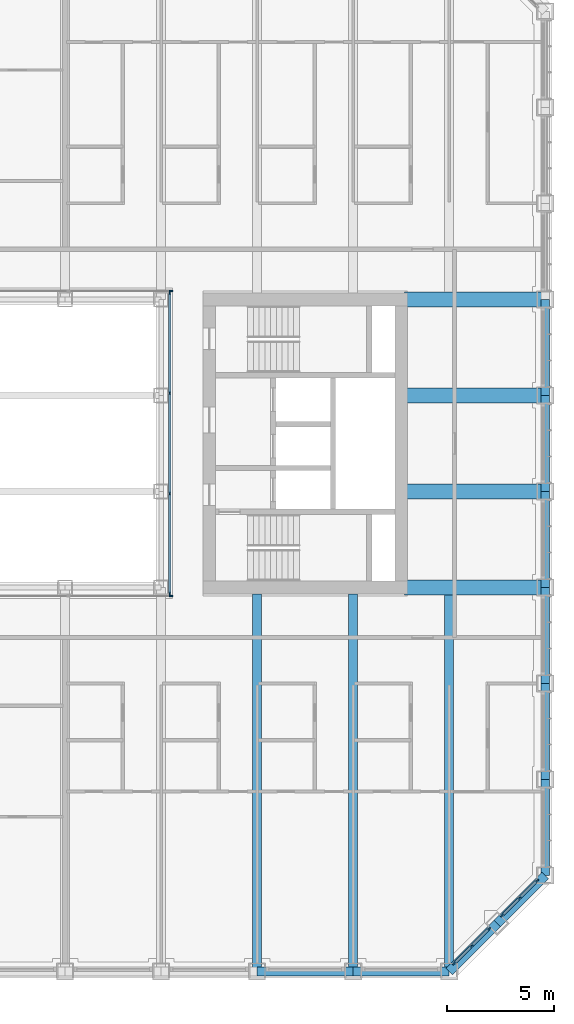
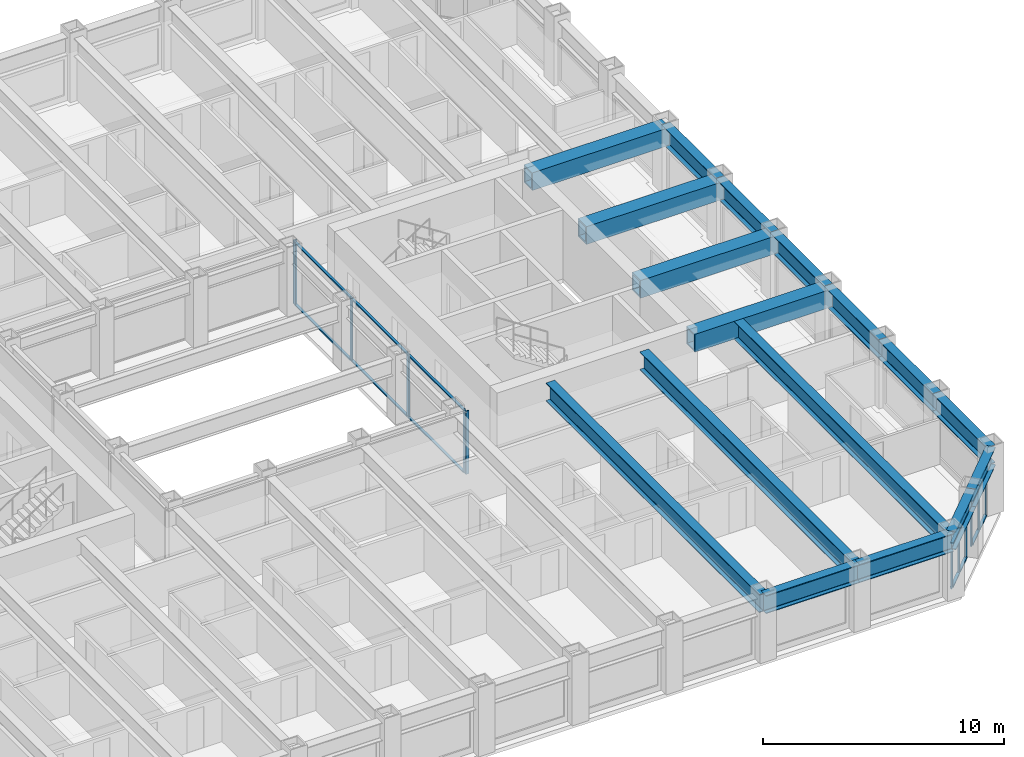
# One storey, part 5 of 21: 26 members, 17 beams, 5 elements without a shape of their own.
"""IFC4 building model written with IfcOpenShell, lengths in metres."""

from ifc_helpers import new_model, si_unit, direction, frame, origin, origin_2d, place, context, subcontext, project, spatial, rectangle, hollow_rectangle, i_section, extrude, material, material_profile, profile_set, type_object, element, aggregate, save


model = new_model("IFC4")

# Units and contexts
model_context = context("Model", 3, precision=1e-05, world=origin(), true_north=direction((0.0, 1.0)))
body_context = subcontext(model_context, "Body", "Model", "MODEL_VIEW")
ifc_project = project(units=[si_unit("LENGTHUNIT", "METRE"), si_unit("AREAUNIT", "SQUARE_METRE"), si_unit("VOLUMEUNIT", "CUBIC_METRE"), si_unit("PLANEANGLEUNIT", "RADIAN"), si_unit("MASSUNIT", "GRAM", prefix="KILO")], contexts=[model_context])

# Site, building, storey
site_placement = place(None, origin())
site = spatial("IfcSite", under=ifc_project, at=site_placement, CompositionType="ELEMENT")
building_placement = place(site_placement, origin())
building = spatial("IfcBuilding", under=site, at=building_placement, Name="Msasa Ring Tower", CompositionType="ELEMENT")
storey_placement = place(building_placement, frame((0.0, 0.0, 103.5)))
storey = spatial("IfcBuildingStorey", under=building, at=storey_placement, Name="L27", CompositionType="ELEMENT", Elevation=103.5)

# Curtain wall, members
ifc_material_1 = material(Name="Aluminium curtain wall with clear glass", Category="aluminium")
curtain_wall_type_1 = type_object("IfcCurtainWallType", Name="CW-C CHAMFER CORNER CURTAIN WALL", PredefinedType="NOTDEFINED", material=ifc_material_1)
curtain_wall_1_placement = place(storey_placement, origin())
curtain_wall_1 = element("IfcCurtainWall", 1, at=curtain_wall_1_placement, inside=storey, type_object=curtain_wall_type_1, Name="Chamfer corner curtain wall SE L27", PredefinedType="NOTDEFINED")
ifc_material_2 = material(Name="Aluminium mullion", Category="aluminium")
ifc_material_profile_1 = material_profile(ifc_material_2, rectangle(XDim=0.06494140625, YDim=0.179931640625, at=origin_2d()), Name="AL 65x180")
ifc_profile_set_1 = profile_set([ifc_material_profile_1], Name="Aluminium mullion")
member_type_1 = type_object("IfcMemberType", Name="CW-C MULLION 65x180", PredefinedType="MULLION", material=ifc_profile_set_1)
member_1_placement = place(storey_placement, frame((20.48876953125, -24.369873046875, 0.0), z_axis=(0.0, 0.0, 1.0), x_axis=(-0.707106781187, 0.707106781187, 0.0)))
member_1 = element("IfcMember", 2, at=member_1_placement, type_object=member_type_1, Name="CW-C mullion 1", PredefinedType="MULLION", context=body_context, shape_type="SweptSolid", body=[
    extrude(rectangle(XDim=0.06494140625, YDim=0.179931640625, at=origin_2d()), origin(), (0.0, 0.0, 1.0), 2.279052734375),
])
member_2_placement = place(storey_placement, frame((21.30419921875, -23.55419921875, 0.0), z_axis=(0.0, 0.0, 1.0), x_axis=(-0.707106781187, 0.707106781187, 0.0)))
member_2 = element("IfcMember", 3, at=member_2_placement, type_object=member_type_1, Name="CW-C mullion 2", PredefinedType="MULLION", context=body_context, shape_type="SweptSolid", body=[
    extrude(rectangle(XDim=0.06494140625, YDim=0.179931640625, at=origin_2d()), origin(), (0.0, 0.0, 1.0), 2.279052734375),
])
member_3_placement = place(storey_placement, frame((22.119873046875, -22.73876953125, 0.0), z_axis=(0.0, 0.0, 1.0), x_axis=(-0.707106781187, 0.707106781187, 0.0)))
member_3 = element("IfcMember", 4, at=member_3_placement, type_object=member_type_1, Name="CW-C mullion 3", PredefinedType="MULLION", context=body_context, shape_type="SweptSolid", body=[
    extrude(rectangle(XDim=0.06494140625, YDim=0.179931640625, at=origin_2d()), origin(), (0.0, 0.0, 1.0), 2.279052734375),
])

curtain_wall_2_placement = place(storey_placement, origin())
curtain_wall_2 = element("IfcCurtainWall", 5, at=curtain_wall_2_placement, inside=storey, type_object=curtain_wall_type_1, Name="Chamfer corner curtain wall SE L27", PredefinedType="NOTDEFINED")
member_4_placement = place(storey_placement, frame((22.73876953125, -22.119873046875, 0.0), z_axis=(0.0, 0.0, 1.0), x_axis=(-0.707106781187, 0.707106781187, 0.0)))
member_4 = element("IfcMember", 6, at=member_4_placement, type_object=member_type_1, Name="CW-C mullion 1", PredefinedType="MULLION", context=body_context, shape_type="SweptSolid", body=[
    extrude(rectangle(XDim=0.06494140625, YDim=0.179931640625, at=origin_2d()), origin(), (0.0, 0.0, 1.0), 2.279052734375),
])
member_5_placement = place(storey_placement, frame((23.55419921875, -21.30419921875, 0.0), z_axis=(0.0, 0.0, 1.0), x_axis=(-0.707106781187, 0.707106781187, 0.0)))
member_5 = element("IfcMember", 7, at=member_5_placement, type_object=member_type_1, Name="CW-C mullion 2", PredefinedType="MULLION", context=body_context, shape_type="SweptSolid", body=[
    extrude(rectangle(XDim=0.06494140625, YDim=0.179931640625, at=origin_2d()), origin(), (0.0, 0.0, 1.0), 2.279052734375),
])
member_6_placement = place(storey_placement, frame((24.369873046875, -20.48876953125, 0.0), z_axis=(0.0, 0.0, 1.0), x_axis=(-0.707106781187, 0.707106781187, 0.0)))
member_6 = element("IfcMember", 8, at=member_6_placement, type_object=member_type_1, Name="CW-C mullion 3", PredefinedType="MULLION", context=body_context, shape_type="SweptSolid", body=[
    extrude(rectangle(XDim=0.06494140625, YDim=0.179931640625, at=origin_2d()), origin(), (0.0, 0.0, 1.0), 2.279052734375),
])

# Member
ifc_material_3 = material(Name="Aluminium transom", Category="aluminium")
ifc_material_profile_2 = material_profile(ifc_material_3, rectangle(XDim=0.139892578125, YDim=0.06494140625, at=origin_2d()), Name="AL 65x140")
ifc_profile_set_2 = profile_set([ifc_material_profile_2], Name="Aluminium transom")
member_type_2 = type_object("IfcMemberType", Name="CW-C TRANSOM 65x140", PredefinedType="USERDEFINED", material=ifc_profile_set_2)
member_7_placement = place(storey_placement, frame((20.51171875, -24.346923828125, 0.032470703125), z_axis=(0.707106781187, 0.707106781187, 0.0), x_axis=(-0.707106781187, 0.707106781187, 0.0)))
member_7 = element("IfcMember", 9, at=member_7_placement, type_object=member_type_2, Name="CW-C transom 1.1", ObjectType="TRANSOM", PredefinedType="USERDEFINED", context=body_context, shape_type="SweptSolid", body=[
    extrude(rectangle(XDim=0.139892578125, YDim=0.06494140625, at=origin_2d()), origin(), (0.0, 0.0, 1.0), 1.08837890625),
])

member_8_placement = place(storey_placement, frame((20.51171875, -24.346923828125, 2.24658203125), z_axis=(0.707106781187, 0.707106781187, 0.0), x_axis=(-0.707106781187, 0.707106781187, 0.0)))
member_8 = element("IfcMember", 10, at=member_8_placement, type_object=member_type_2, Name="CW-C transom 1.2", ObjectType="TRANSOM", PredefinedType="USERDEFINED", context=body_context, shape_type="SweptSolid", body=[
    extrude(rectangle(XDim=0.139892578125, YDim=0.06494140625, at=origin_2d()), origin(), (0.0, 0.0, 1.0), 1.08837890625),
])

member_9_placement = place(storey_placement, frame((21.327392578125, -23.53125, 0.032470703125), z_axis=(0.707106781187, 0.707106781187, 0.0), x_axis=(-0.707106781187, 0.707106781187, 0.0)))
member_9 = element("IfcMember", 11, at=member_9_placement, type_object=member_type_2, Name="CW-C transom 2.1", ObjectType="TRANSOM", PredefinedType="USERDEFINED", context=body_context, shape_type="SweptSolid", body=[
    extrude(rectangle(XDim=0.139892578125, YDim=0.06494140625, at=origin_2d()), origin(), (0.0, 0.0, 1.0), 1.08837890625),
])

member_10_placement = place(storey_placement, frame((21.327392578125, -23.53125, 2.24658203125), z_axis=(0.707106781187, 0.707106781187, 0.0), x_axis=(-0.707106781187, 0.707106781187, 0.0)))
member_10 = element("IfcMember", 12, at=member_10_placement, type_object=member_type_2, Name="CW-C transom 2.2", ObjectType="TRANSOM", PredefinedType="USERDEFINED", context=body_context, shape_type="SweptSolid", body=[
    extrude(rectangle(XDim=0.139892578125, YDim=0.06494140625, at=origin_2d()), origin(), (0.0, 0.0, 1.0), 1.08837890625),
])

aggregate(curtain_wall_1, [member_1, member_2, member_3, member_7, member_8, member_9, member_10])

member_11_placement = place(storey_placement, frame((22.76171875, -22.096923828125, 0.032470703125), z_axis=(0.707106781187, 0.707106781187, 0.0), x_axis=(-0.707106781187, 0.707106781187, 0.0)))
member_11 = element("IfcMember", 13, at=member_11_placement, type_object=member_type_2, Name="CW-C transom 1.1", ObjectType="TRANSOM", PredefinedType="USERDEFINED", context=body_context, shape_type="SweptSolid", body=[
    extrude(rectangle(XDim=0.139892578125, YDim=0.06494140625, at=origin_2d()), origin(), (0.0, 0.0, 1.0), 1.08837890625),
])

member_12_placement = place(storey_placement, frame((22.76171875, -22.096923828125, 2.24658203125), z_axis=(0.707106781187, 0.707106781187, 0.0), x_axis=(-0.707106781187, 0.707106781187, 0.0)))
member_12 = element("IfcMember", 14, at=member_12_placement, type_object=member_type_2, Name="CW-C transom 1.2", ObjectType="TRANSOM", PredefinedType="USERDEFINED", context=body_context, shape_type="SweptSolid", body=[
    extrude(rectangle(XDim=0.139892578125, YDim=0.06494140625, at=origin_2d()), origin(), (0.0, 0.0, 1.0), 1.08837890625),
])

member_13_placement = place(storey_placement, frame((23.577392578125, -21.28125, 0.032470703125), z_axis=(0.707106781187, 0.707106781187, 0.0), x_axis=(-0.707106781187, 0.707106781187, 0.0)))
member_13 = element("IfcMember", 15, at=member_13_placement, type_object=member_type_2, Name="CW-C transom 2.1", ObjectType="TRANSOM", PredefinedType="USERDEFINED", context=body_context, shape_type="SweptSolid", body=[
    extrude(rectangle(XDim=0.139892578125, YDim=0.06494140625, at=origin_2d()), origin(), (0.0, 0.0, 1.0), 1.08837890625),
])

member_14_placement = place(storey_placement, frame((23.577392578125, -21.28125, 2.24658203125), z_axis=(0.707106781187, 0.707106781187, 0.0), x_axis=(-0.707106781187, 0.707106781187, 0.0)))
member_14 = element("IfcMember", 16, at=member_14_placement, type_object=member_type_2, Name="CW-C transom 2.2", ObjectType="TRANSOM", PredefinedType="USERDEFINED", context=body_context, shape_type="SweptSolid", body=[
    extrude(rectangle(XDim=0.139892578125, YDim=0.06494140625, at=origin_2d()), origin(), (0.0, 0.0, 1.0), 1.08837890625),
])

aggregate(curtain_wall_2, [member_4, member_5, member_6, member_11, member_12, member_13, member_14])

# Curtain wall, member
ifc_material_4 = material(Name="Aluminium curtain wall with clear glass", Category="aluminium")
curtain_wall_type_2 = type_object("IfcCurtainWallType", Name="CW-W LIGHT WELL CURTAIN WALL", PredefinedType="NOTDEFINED", material=ifc_material_4)
curtain_wall_3_placement = place(storey_placement, origin())
curtain_wall_3 = element("IfcCurtainWall", 17, at=curtain_wall_3_placement, inside=storey, type_object=curtain_wall_type_2, Name="Light well curtain wall N L27", PredefinedType="NOTDEFINED")
ifc_material_5 = material(Name="Aluminium mullion", Category="aluminium")
ifc_material_profile_3 = material_profile(ifc_material_5, rectangle(XDim=0.06005859375, YDim=0.159912109375, at=origin_2d()), Name="AL 60x160")
ifc_profile_set_3 = profile_set([ifc_material_profile_3], Name="Aluminium mullion")
member_type_3 = type_object("IfcMemberType", Name="CW-W MULLION 60x160", PredefinedType="MULLION", material=ifc_profile_set_3)
member_15_placement = place(storey_placement, frame((7.199951171875, 7.14990234375, 0.0), z_axis=(0.0, 0.0, 1.0), x_axis=(0.0, 1.0, 0.0)))
member_15 = element("IfcMember", 18, at=member_15_placement, type_object=member_type_3, Name="CW-W mullion 4", PredefinedType="MULLION", context=body_context, shape_type="SweptSolid", body=[
    extrude(rectangle(XDim=0.06005859375, YDim=0.159912109375, at=origin_2d()), origin(), (0.0, 0.0, 1.0), 3.199951171875),
])
aggregate(curtain_wall_3, [member_15])

curtain_wall_4_placement = place(storey_placement, origin())
curtain_wall_4 = element("IfcCurtainWall", 19, at=curtain_wall_4_placement, inside=storey, type_object=curtain_wall_type_2, Name="Light well curtain wall S L27", PredefinedType="NOTDEFINED")
member_16_placement = place(storey_placement, frame((7.199951171875, -7.14990234375, 0.0), z_axis=(0.0, 0.0, 1.0), x_axis=(0.0, 1.0, 0.0)))
member_16 = element("IfcMember", 20, at=member_16_placement, type_object=member_type_3, Name="CW-W mullion 4", PredefinedType="MULLION", context=body_context, shape_type="SweptSolid", body=[
    extrude(rectangle(XDim=0.06005859375, YDim=0.159912109375, at=origin_2d()), origin(), (0.0, 0.0, 1.0), 3.199951171875),
])
aggregate(curtain_wall_4, [member_16])

# Curtain wall, members
curtain_wall_5_placement = place(storey_placement, origin())
curtain_wall_5 = element("IfcCurtainWall", 21, at=curtain_wall_5_placement, inside=storey, type_object=curtain_wall_type_2, Name="Light well curtain wall E L27", PredefinedType="NOTDEFINED")
member_17_placement = place(storey_placement, frame((7.14990234375, -7.0400390625, 0.0), z_axis=(0.0, 0.0, 1.0), x_axis=(-1.0, 0.0, 0.0)))
member_17 = element("IfcMember", 22, at=member_17_placement, type_object=member_type_3, Name="CW-W mullion 1", PredefinedType="MULLION", context=body_context, shape_type="SweptSolid", body=[
    extrude(rectangle(XDim=0.06005859375, YDim=0.159912109375, at=origin_2d()), origin(), (0.0, 0.0, 1.0), 3.199951171875),
])
member_18_placement = place(storey_placement, frame((7.14990234375, -2.356689453125, 0.0), z_axis=(0.0, 0.0, 1.0), x_axis=(-1.0, 0.0, 0.0)))
member_18 = element("IfcMember", 23, at=member_18_placement, type_object=member_type_3, Name="CW-W mullion 2", PredefinedType="MULLION", context=body_context, shape_type="SweptSolid", body=[
    extrude(rectangle(XDim=0.06005859375, YDim=0.159912109375, at=origin_2d()), origin(), (0.0, 0.0, 1.0), 3.199951171875),
])
member_19_placement = place(storey_placement, frame((7.14990234375, 2.356689453125, 0.0), z_axis=(0.0, 0.0, 1.0), x_axis=(-1.0, 0.0, 0.0)))
member_19 = element("IfcMember", 24, at=member_19_placement, type_object=member_type_3, Name="CW-W mullion 3", PredefinedType="MULLION", context=body_context, shape_type="SweptSolid", body=[
    extrude(rectangle(XDim=0.06005859375, YDim=0.159912109375, at=origin_2d()), origin(), (0.0, 0.0, 1.0), 3.199951171875),
])
member_20_placement = place(storey_placement, frame((7.14990234375, 7.0400390625, 0.0), z_axis=(0.0, 0.0, 1.0), x_axis=(-1.0, 0.0, 0.0)))
member_20 = element("IfcMember", 25, at=member_20_placement, type_object=member_type_3, Name="CW-W mullion 4", PredefinedType="MULLION", context=body_context, shape_type="SweptSolid", body=[
    extrude(rectangle(XDim=0.06005859375, YDim=0.159912109375, at=origin_2d()), origin(), (0.0, 0.0, 1.0), 3.199951171875),
])
ifc_material_6 = material(Name="Aluminium transom", Category="aluminium")
ifc_material_profile_4 = material_profile(ifc_material_6, rectangle(XDim=0.1201171875, YDim=0.06005859375, at=origin_2d()), Name="AL 60x120")
ifc_profile_set_4 = profile_set([ifc_material_profile_4], Name="Aluminium transom")
member_type_4 = type_object("IfcMemberType", Name="CW-W TRANSOM 60x120", PredefinedType="USERDEFINED", material=ifc_profile_set_4)
member_21_placement = place(storey_placement, frame((7.14990234375, -7.010009765625, 0.030029296875), z_axis=(0.0, 1.0, 0.0), x_axis=(-1.0, 0.0, 0.0)))
member_21 = element("IfcMember", 26, at=member_21_placement, type_object=member_type_4, Name="CW-W transom 1.1", ObjectType="TRANSOM", PredefinedType="USERDEFINED", context=body_context, shape_type="SweptSolid", body=[
    extrude(rectangle(XDim=0.1201171875, YDim=0.06005859375, at=origin_2d()), origin(), (0.0, 0.0, 1.0), 4.623291015625),
])
member_22_placement = place(storey_placement, frame((7.14990234375, -7.010009765625, 3.169921875), z_axis=(0.0, 1.0, 0.0), x_axis=(-1.0, 0.0, 0.0)))
member_22 = element("IfcMember", 27, at=member_22_placement, type_object=member_type_4, Name="CW-W transom 1.2", ObjectType="TRANSOM", PredefinedType="USERDEFINED", context=body_context, shape_type="SweptSolid", body=[
    extrude(rectangle(XDim=0.1201171875, YDim=0.06005859375, at=origin_2d()), origin(), (0.0, 0.0, 1.0), 4.623291015625),
])
member_23_placement = place(storey_placement, frame((7.14990234375, -2.32666015625, 0.030029296875), z_axis=(0.0, 1.0, 0.0), x_axis=(-1.0, 0.0, 0.0)))
member_23 = element("IfcMember", 28, at=member_23_placement, type_object=member_type_4, Name="CW-W transom 2.1", ObjectType="TRANSOM", PredefinedType="USERDEFINED", context=body_context, shape_type="SweptSolid", body=[
    extrude(rectangle(XDim=0.1201171875, YDim=0.06005859375, at=origin_2d()), origin(), (0.0, 0.0, 1.0), 4.6533203125),
])
member_24_placement = place(storey_placement, frame((7.14990234375, -2.32666015625, 3.169921875), z_axis=(0.0, 1.0, 0.0), x_axis=(-1.0, 0.0, 0.0)))
member_24 = element("IfcMember", 29, at=member_24_placement, type_object=member_type_4, Name="CW-W transom 2.2", ObjectType="TRANSOM", PredefinedType="USERDEFINED", context=body_context, shape_type="SweptSolid", body=[
    extrude(rectangle(XDim=0.1201171875, YDim=0.06005859375, at=origin_2d()), origin(), (0.0, 0.0, 1.0), 4.6533203125),
])
member_25_placement = place(storey_placement, frame((7.14990234375, 2.38671875, 0.030029296875), z_axis=(0.0, 1.0, 0.0), x_axis=(-1.0, 0.0, 0.0)))
member_25 = element("IfcMember", 30, at=member_25_placement, type_object=member_type_4, Name="CW-W transom 3.1", ObjectType="TRANSOM", PredefinedType="USERDEFINED", context=body_context, shape_type="SweptSolid", body=[
    extrude(rectangle(XDim=0.1201171875, YDim=0.06005859375, at=origin_2d()), origin(), (0.0, 0.0, 1.0), 4.623291015625),
])
member_26_placement = place(storey_placement, frame((7.14990234375, 2.38671875, 3.169921875), z_axis=(0.0, 1.0, 0.0), x_axis=(-1.0, 0.0, 0.0)))
member_26 = element("IfcMember", 31, at=member_26_placement, type_object=member_type_4, Name="CW-W transom 3.2", ObjectType="TRANSOM", PredefinedType="USERDEFINED", context=body_context, shape_type="SweptSolid", body=[
    extrude(rectangle(XDim=0.1201171875, YDim=0.06005859375, at=origin_2d()), origin(), (0.0, 0.0, 1.0), 4.623291015625),
])
aggregate(curtain_wall_5, [member_17, member_18, member_19, member_20, member_21, member_22, member_23, member_24, member_25, member_26])

# Beams
ifc_material_7 = material(Name="Steel S355", Category="steel")
ifc_material_profile_5 = material_profile(ifc_material_7, i_section(OverallWidth=0.42041015625, OverallDepth=0.9208984375, WebThickness=0.021484375, FlangeThickness=0.03662109375, FilletRadius=0.024169921875, at=origin_2d()), Name="UB 914x419x388")
ifc_profile_set_5 = profile_set([ifc_material_profile_5], Name="Steel S355")
beam_type_1 = type_object("IfcBeamType", Name="FB2 UB 914x419x388", PredefinedType="BEAM", material=ifc_profile_set_5)
for number, where, z_axis, x_axis, name in (
    (32, (11.25, -24.75, 2.739501953125), (0.0, 1.0, 0.0), (-1.0, 0.0, 0.0), "Floor beam S+11.25 under L28"),
    (33, (15.75, -24.75, 2.739501953125), (0.0, 1.0, 0.0), (-1.0, 0.0, 0.0), "Floor beam S+15.75 under L28"),
):
    element("IfcBeam", number, at=place(storey_placement, frame(where, z_axis=z_axis, x_axis=x_axis)), inside=storey, type_object=beam_type_1, Name=name, PredefinedType="BEAM", context=body_context, shape_type="SweptSolid", body=[
        extrude(i_section(OverallWidth=0.42041015625, OverallDepth=0.9208984375, WebThickness=0.021484375, FlangeThickness=0.03662109375, FilletRadius=0.024169921875, at=origin_2d()), origin(), (0.0, 0.0, 1.0), 17.699951171875),
    ])
beam_placement = place(storey_placement, frame((20.25, -24.75, 2.739501953125), z_axis=(0.0, 1.0, 0.0), x_axis=(-1.0, 0.0, 0.0)))
element("IfcBeam", 34, at=beam_placement, inside=storey, type_object=beam_type_1, Name="Floor beam S+20.25 under L28", PredefinedType="BEAM", context=body_context, shape_type="SweptSolid", body=[
    extrude(i_section(OverallWidth=0.42041015625, OverallDepth=0.9208984375, WebThickness=0.021484375, FlangeThickness=0.03662109375, FilletRadius=0.024169921875, at=origin_2d()), origin(), (0.0, 0.0, 1.0), 17.64990234375),
])
ifc_material_8 = material(Name="Steel S355", Category="steel")
ifc_material_profile_6 = material_profile(ifc_material_8, hollow_rectangle(XDim=0.699951171875, YDim=0.89990234375, WallThickness=0.080078125, at=origin_2d()), Name="BOX 900x700x80")
ifc_profile_set_6 = profile_set([ifc_material_profile_6], Name="Steel S355")
beam_type_2 = type_object("IfcBeamType", Name="FB4 BOX 900x700x80", PredefinedType="BEAM", material=ifc_profile_set_6)
for number, where, z_axis, x_axis, name in (
    (35, (24.75, -2.25, 2.75), (-1.0, 0.0, 0.0), (0.0, -1.0, 0.0), "Floor beam E -2.25 under L28"),
    (36, (24.75, 2.25, 2.75), (-1.0, 0.0, 0.0), (0.0, -1.0, 0.0), "Floor beam E +2.25 under L28"),
):
    element("IfcBeam", number, at=place(storey_placement, frame(where, z_axis=z_axis, x_axis=x_axis)), inside=storey, type_object=beam_type_2, Name=name, PredefinedType="BEAM", context=body_context, shape_type="SweptSolid", body=[
        extrude(hollow_rectangle(XDim=0.699951171875, YDim=0.89990234375, WallThickness=0.080078125, at=origin_2d()), origin(), (0.0, 0.0, 1.0), 6.60009765625),
    ])
ifc_material_9 = material(Name="Steel S355", Category="steel")
ifc_material_profile_7 = material_profile(ifc_material_9, hollow_rectangle(XDim=0.699951171875, YDim=0.89990234375, WallThickness=0.080078125, at=origin_2d()), Name="BOX 900x700x80")
ifc_profile_set_7 = profile_set([ifc_material_profile_7], Name="Steel S355")
beam_type_3 = type_object("IfcBeamType", Name="GB2 BOX 900x700x80", PredefinedType="BEAM", material=ifc_profile_set_7)
for number, where, z_axis, x_axis, name in (
    (37, (18.14990234375, 6.75, 2.75), (1.0, 0.0, 0.0), (0.0, 1.0, 0.0), "Girder E +6.75 under L28"),
    (38, (18.14990234375, -6.75, 2.75), (1.0, 0.0, 0.0), (0.0, 1.0, 0.0), "Girder E -6.75 under L28"),
):
    element("IfcBeam", number, at=place(storey_placement, frame(where, z_axis=z_axis, x_axis=x_axis)), inside=storey, type_object=beam_type_3, Name=name, PredefinedType="BEAM", context=body_context, shape_type="SweptSolid", body=[
        extrude(hollow_rectangle(XDim=0.699951171875, YDim=0.89990234375, WallThickness=0.080078125, at=origin_2d()), origin(), (0.0, 0.0, 1.0), 6.60009765625),
    ])
ifc_material_10 = material(Name="Steel S355", Category="steel")
ifc_material_profile_8 = material_profile(ifc_material_10, i_section(OverallWidth=0.42041015625, OverallDepth=0.9208984375, WebThickness=0.021484375, FlangeThickness=0.03662109375, FilletRadius=0.024169921875, at=origin_2d()), Name="UB 914x419x388")
ifc_profile_set_8 = profile_set([ifc_material_profile_8], Name="Steel S355")
beam_type_4 = type_object("IfcBeamType", Name="SB1 UB 914x419x388", PredefinedType="SPANDREL", material=ifc_profile_set_8)
for number, where, z_axis, x_axis, name in (
    (39, (11.25, -24.75, 2.739501953125), (1.0, 0.0, 0.0), (0.0, 1.0, 0.0), "Spandrel S+11.25 to S+15.75 under L28"),
    (40, (15.75, -24.75, 2.739501953125), (1.0, 0.0, 0.0), (0.0, 1.0, 0.0), "Spandrel S+15.75 to S+20.25 under L28"),
):
    element("IfcBeam", number, at=place(storey_placement, frame(where, z_axis=z_axis, x_axis=x_axis)), inside=storey, type_object=beam_type_4, Name=name, PredefinedType="SPANDREL", context=body_context, shape_type="SweptSolid", body=[
        extrude(i_section(OverallWidth=0.42041015625, OverallDepth=0.9208984375, WebThickness=0.021484375, FlangeThickness=0.03662109375, FilletRadius=0.024169921875, at=origin_2d()), origin(), (0.0, 0.0, 1.0), 4.5),
    ])
for number, where, z_axis, x_axis, name in (
    (41, (20.25, -24.75, 2.739501953125), (0.707106781187, 0.707106781187, 0.0), (-0.707106781187, 0.707106781187, 0.0), "Spandrel S+20.25 to SE under L28"),
    (42, (22.5, -22.5, 2.739501953125), (0.707106781187, 0.707106781187, 0.0), (-0.707106781187, 0.707106781187, 0.0), "Spandrel SE to E-20.25 under L28"),
):
    element("IfcBeam", number, at=place(storey_placement, frame(where, z_axis=z_axis, x_axis=x_axis)), inside=storey, type_object=beam_type_4, Name=name, PredefinedType="SPANDREL", context=body_context, shape_type="SweptSolid", body=[
        extrude(i_section(OverallWidth=0.42041015625, OverallDepth=0.9208984375, WebThickness=0.021484375, FlangeThickness=0.03662109375, FilletRadius=0.024169921875, at=origin_2d()), origin(), (0.0, 0.0, 1.0), 3.181884765625),
    ])
for number, where, z_axis, x_axis, name in (
    (43, (24.75, -20.25, 2.739501953125), (0.0, 1.0, 0.0), (-1.0, 0.0, 0.0), "Spandrel E-20.25 to E-15.75 under L28"),
    (44, (24.75, -15.75, 2.739501953125), (0.0, 1.0, 0.0), (-1.0, 0.0, 0.0), "Spandrel E-15.75 to E-11.25 under L28"),
    (45, (24.75, -11.25, 2.739501953125), (0.0, 1.0, 0.0), (-1.0, 0.0, 0.0), "Spandrel E-11.25 to E-6.75 under L28"),
    (46, (24.75, -6.75, 2.739501953125), (0.0, 1.0, 0.0), (-1.0, 0.0, 0.0), "Spandrel E-6.75 to E-2.25 under L28"),
    (47, (24.75, -2.25, 2.739501953125), (0.0, 1.0, 0.0), (-1.0, 0.0, 0.0), "Spandrel E-2.25 to E+2.25 under L28"),
    (48, (24.75, 2.25, 2.739501953125), (0.0, 1.0, 0.0), (-1.0, 0.0, 0.0), "Spandrel E+2.25 to E+6.75 under L28"),
):
    element("IfcBeam", number, at=place(storey_placement, frame(where, z_axis=z_axis, x_axis=x_axis)), inside=storey, type_object=beam_type_4, Name=name, PredefinedType="SPANDREL", context=body_context, shape_type="SweptSolid", body=[
        extrude(i_section(OverallWidth=0.42041015625, OverallDepth=0.9208984375, WebThickness=0.021484375, FlangeThickness=0.03662109375, FilletRadius=0.024169921875, at=origin_2d()), origin(), (0.0, 0.0, 1.0), 4.5),
    ])

save(model, "model.ifc")
